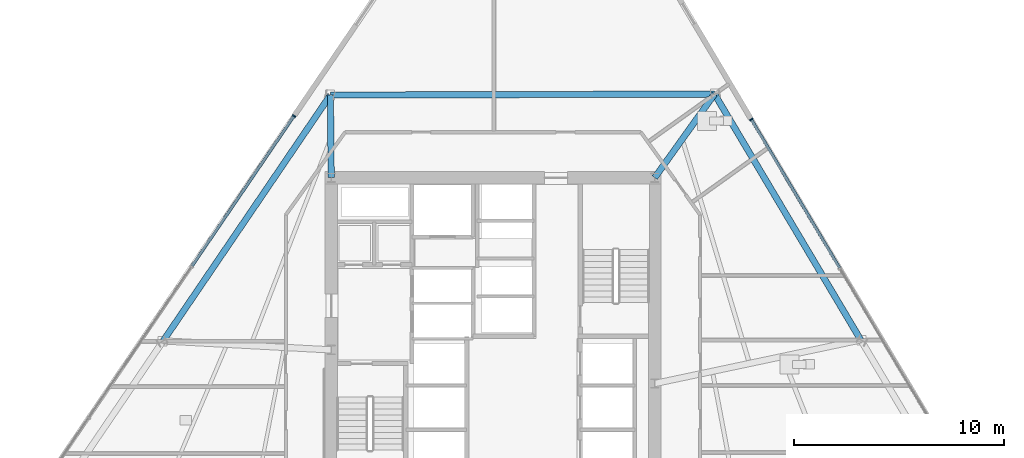
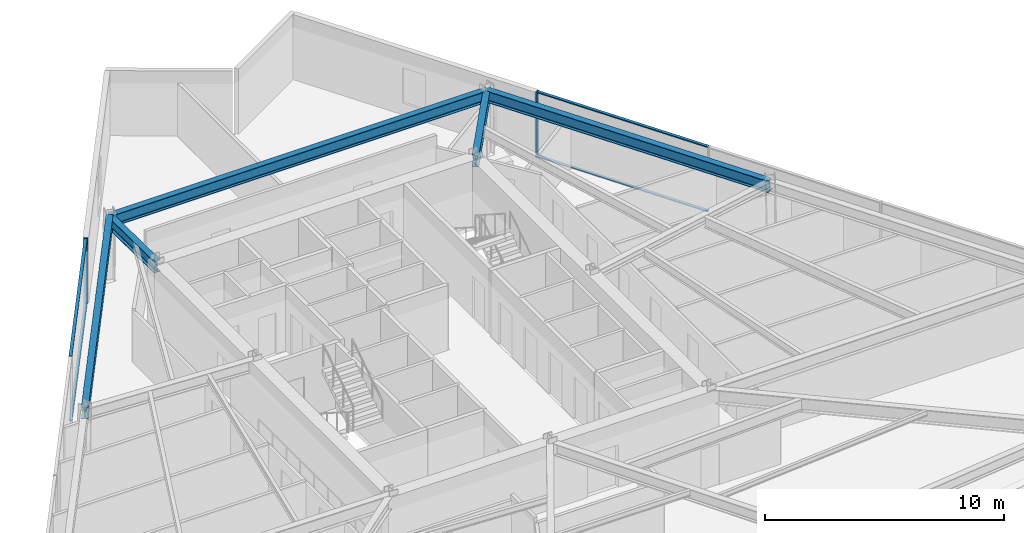
# One storey, part 6 of 16: 6 members, 5 beams, 2 elements without a shape of their own.
"""IFC4 building model written with IfcOpenShell, lengths in metres."""

from ifc_helpers import new_model, si_unit, direction, frame, origin, origin_2d, place, context, subcontext, project, spatial, rectangle, i_section, extrude, material, material_profile, profile_set, type_object, element, aggregate, save


model = new_model("IFC4")

# Units and contexts
model_context = context("Model", 3, precision=1e-05, world=origin(), true_north=direction((0.0, 1.0)))
body_context = subcontext(model_context, "Body", "Model", "MODEL_VIEW")
ifc_project = project(units=[si_unit("LENGTHUNIT", "METRE"), si_unit("AREAUNIT", "SQUARE_METRE"), si_unit("VOLUMEUNIT", "CUBIC_METRE"), si_unit("PLANEANGLEUNIT", "RADIAN"), si_unit("MASSUNIT", "GRAM", prefix="KILO")], contexts=[model_context])

# Site, building, storey
site_placement = place(None, origin())
site = spatial("IfcSite", under=ifc_project, at=site_placement, CompositionType="ELEMENT")
building_placement = place(site_placement, origin())
building = spatial("IfcBuilding", under=site, at=building_placement, Name="Savorim Split Tower", CompositionType="ELEMENT")
storey_placement = place(building_placement, frame((0.0, 0.0, 51.60009765625)))
storey = spatial("IfcBuildingStorey", under=building, at=storey_placement, Name="L13", CompositionType="ELEMENT", Elevation=51.60009765625)

# Beams
ifc_material_1 = material(Name="Steel S355", Category="steel")
ifc_material_profile_1 = material_profile(ifc_material_1, i_section(OverallWidth=0.300048828125, OverallDepth=0.60009765625, WebThickness=0.015380859375, FlangeThickness=0.030029296875, FilletRadius=0.027099609375, at=origin_2d()), Name="HEB 600")
ifc_profile_set_1 = profile_set([ifc_material_profile_1], Name="Steel S355")
beam_type_1 = type_object("IfcBeamType", Name="BM-PRI-HEB600", PredefinedType="BEAM", material=ifc_profile_set_1)
beam_1_placement = place(storey_placement, frame((10.54736328125, 14.17724609375, 3.0498046875), z_axis=(-0.582116025145, -0.813105733142, 0.0), x_axis=(0.813105733142, -0.582116025145, 0.0)))
element("IfcBeam", 1, at=beam_1_placement, inside=storey, type_object=beam_type_1, Name="L13 Primary Floor Girder RG-07", PredefinedType="BEAM", context=body_context, shape_type="SweptSolid", body=[
    extrude(i_section(OverallWidth=0.300048828125, OverallDepth=0.60009765625, WebThickness=0.015380859375, FlangeThickness=0.030029296875, FilletRadius=0.027099609375, at=origin_2d()), origin(), (0.0, 0.0, 1.0), 4.8916015625),
])
beam_2_placement = place(storey_placement, frame((-7.73876953125, 14.12841796875, 3.0498046875), z_axis=(0.009880817735, -0.999951183529, 0.0), x_axis=(0.999951183529, 0.009880817735, 0.0)))
element("IfcBeam", 2, at=beam_2_placement, inside=storey, type_object=beam_type_1, Name="L13 Primary Floor Girder RG-08", PredefinedType="BEAM", context=body_context, shape_type="SweptSolid", body=[
    extrude(i_section(OverallWidth=0.300048828125, OverallDepth=0.60009765625, WebThickness=0.015380859375, FlangeThickness=0.030029296875, FilletRadius=0.027099609375, at=origin_2d()), origin(), (0.0, 0.0, 1.0), 3.9287109375),
])
ifc_material_profile_2 = material_profile(ifc_material_1, i_section(OverallWidth=0.300048828125, OverallDepth=0.590087890625, WebThickness=0.012939453125, FlangeThickness=0.02490234375, FilletRadius=0.027099609375, at=origin_2d()), Name="HEA 600")
ifc_profile_set_2 = profile_set([ifc_material_profile_2], Name="Steel S355")
beam_type_2 = type_object("IfcBeamType", Name="BM-SPN-HEA600", PredefinedType="SPANDREL", material=ifc_profile_set_2)
beam_3_placement = place(storey_placement, frame((17.504150390625, 2.477294921875, 3.054931640625), z_axis=(-0.511078616078, 0.859533971515, 0.0), x_axis=(-0.859533971515, -0.511078616078, 0.0)))
element("IfcBeam", 3, at=beam_3_placement, inside=storey, type_object=beam_type_2, Name="L13 Perimeter Spandrel Beam 6", PredefinedType="SPANDREL", context=body_context, shape_type="SweptSolid", body=[
    extrude(i_section(OverallWidth=0.300048828125, OverallDepth=0.590087890625, WebThickness=0.012939453125, FlangeThickness=0.02490234375, FilletRadius=0.027099609375, at=origin_2d()), origin(), (0.0, 0.0, 1.0), 13.612060546875),
])
beam_4_placement = place(storey_placement, frame((10.54736328125, 14.17724609375, 3.054931640625), z_axis=(-0.999996434963, -0.00267021745, 0.0), x_axis=(0.00267021745, -0.999996434963, 0.0)))
element("IfcBeam", 4, at=beam_4_placement, inside=storey, type_object=beam_type_2, Name="L13 Perimeter Spandrel Beam 7", PredefinedType="SPANDREL", context=body_context, shape_type="SweptSolid", body=[
    extrude(i_section(OverallWidth=0.300048828125, OverallDepth=0.590087890625, WebThickness=0.012939453125, FlangeThickness=0.02490234375, FilletRadius=0.027099609375, at=origin_2d()), origin(), (0.0, 0.0, 1.0), 18.2861328125),
])
beam_5_placement = place(storey_placement, frame((-7.73876953125, 14.12841796875, 3.054931640625), z_axis=(-0.562475653373, -0.826813848071, 0.0), x_axis=(0.826813848071, -0.562475653373, 0.0)))
element("IfcBeam", 5, at=beam_5_placement, inside=storey, type_object=beam_type_2, Name="L13 Perimeter Spandrel Beam 8", PredefinedType="SPANDREL", context=body_context, shape_type="SweptSolid", body=[
    extrude(i_section(OverallWidth=0.300048828125, OverallDepth=0.590087890625, WebThickness=0.012939453125, FlangeThickness=0.02490234375, FilletRadius=0.027099609375, at=origin_2d()), origin(), (0.0, 0.0, 1.0), 14.150390625),
])

# Curtain wall, member
ifc_material_2 = material(Name="Dark Ceramic-Fritted Insulated Glass", Category="glass")
curtain_wall_type = type_object("IfcCurtainWallType", Name="CW-TWR-FRIT-A", PredefinedType="NOTDEFINED", material=ifc_material_2)
curtain_wall_1_placement = place(storey_placement, origin())
curtain_wall_1 = element("IfcCurtainWall", 6, at=curtain_wall_1_placement, inside=storey, type_object=curtain_wall_type, Name="L13 Curtain Wall CW-L13-EAST", PredefinedType="NOTDEFINED")
ifc_material_3 = material(Name="Charcoal Anodised Aluminium", Category="aluminium")
ifc_material_profile_3 = material_profile(ifc_material_3, rectangle(XDim=0.179931640625, YDim=0.06494140625, at=origin_2d()), Name="ALU-M 180x65")
ifc_profile_set_3 = profile_set([ifc_material_profile_3], Name="Charcoal Anodised Aluminium")
member_type_1 = type_object("IfcMemberType", Name="CWM-180x65", PredefinedType="MULLION", material=ifc_profile_set_3)
member_1_placement = place(storey_placement, frame((12.296630859375, 12.96826171875, 0.0), z_axis=(0.0, 0.0, 1.0), x_axis=(-0.859525822673, -0.511092320583, 0.0)))
member_1 = element("IfcMember", 7, at=member_1_placement, type_object=member_type_1, Name="CW-02 mullion 5", PredefinedType="MULLION", context=body_context, shape_type="SweptSolid", body=[
    extrude(rectangle(XDim=0.179931640625, YDim=0.06494140625, at=origin_2d()), origin(), (0.0, 0.0, 1.0), 3.349853515625),
])

curtain_wall_2_placement = place(storey_placement, origin())
curtain_wall_2 = element("IfcCurtainWall", 8, at=curtain_wall_2_placement, inside=storey, type_object=curtain_wall_type, Name="L13 Curtain Wall CW-L13-WEST", PredefinedType="NOTDEFINED")
member_2_placement = place(storey_placement, frame((-9.468994140625, 13.136474609375, 0.0), z_axis=(0.0, 0.0, 1.0), x_axis=(0.826820172644, -0.562466356423, 0.0)))
member_2 = element("IfcMember", 9, at=member_2_placement, type_object=member_type_1, Name="CW-02 mullion 1", PredefinedType="MULLION", context=body_context, shape_type="SweptSolid", body=[
    extrude(rectangle(XDim=0.179931640625, YDim=0.06494140625, at=origin_2d()), origin(), (0.0, 0.0, 1.0), 3.349853515625),
])

# Member
ifc_material_profile_4 = material_profile(ifc_material_3, rectangle(XDim=0.139892578125, YDim=0.054931640625, at=origin_2d()), Name="ALU-T 140x55")
ifc_profile_set_4 = profile_set([ifc_material_profile_4], Name="Charcoal Anodised Aluminium")
member_type_2 = type_object("IfcMemberType", Name="CWT-140x55", PredefinedType="USERDEFINED", material=ifc_profile_set_4)
member_3_placement = place(storey_placement, frame((16.49853515625, 5.901611328125, 0.02734375), z_axis=(-0.51109384724, 0.859524914888, 0.0), x_axis=(-0.859524914888, -0.51109384724, 0.0)))
member_3 = element("IfcMember", 10, at=member_3_placement, type_object=member_type_2, Name="CW-02 transom 4.1", ObjectType="TRANSOM", PredefinedType="USERDEFINED", context=body_context, shape_type="SweptSolid", body=[
    extrude(rectangle(XDim=0.139892578125, YDim=0.054931640625, at=origin_2d()), origin(), (0.0, 0.0, 1.0), 8.18896484375),
])

member_4_placement = place(storey_placement, frame((16.49853515625, 5.901611328125, 3.322509765625), z_axis=(-0.51109384724, 0.859524914888, 0.0), x_axis=(-0.859524914888, -0.51109384724, 0.0)))
member_4 = element("IfcMember", 11, at=member_4_placement, type_object=member_type_2, Name="CW-02 transom 4.2", ObjectType="TRANSOM", PredefinedType="USERDEFINED", context=body_context, shape_type="SweptSolid", body=[
    extrude(rectangle(XDim=0.139892578125, YDim=0.054931640625, at=origin_2d()), origin(), (0.0, 0.0, 1.0), 8.18896484375),
])

aggregate(curtain_wall_1, [member_1, member_3, member_4])

member_5_placement = place(storey_placement, frame((-9.487060546875, 13.109619140625, 0.02734375), z_axis=(-0.562479161914, -0.826811461224, 0.0), x_axis=(0.826811461224, -0.562479161914, 0.0)))
member_5 = element("IfcMember", 12, at=member_5_placement, type_object=member_type_2, Name="CW-02 transom 1.1", ObjectType="TRANSOM", PredefinedType="USERDEFINED", context=body_context, shape_type="SweptSolid", body=[
    extrude(rectangle(XDim=0.139892578125, YDim=0.054931640625, at=origin_2d()), origin(), (0.0, 0.0, 1.0), 8.606201171875),
])

member_6_placement = place(storey_placement, frame((-9.487060546875, 13.109619140625, 3.322509765625), z_axis=(-0.562479161914, -0.826811461224, 0.0), x_axis=(0.826811461224, -0.562479161914, 0.0)))
member_6 = element("IfcMember", 13, at=member_6_placement, type_object=member_type_2, Name="CW-02 transom 1.2", ObjectType="TRANSOM", PredefinedType="USERDEFINED", context=body_context, shape_type="SweptSolid", body=[
    extrude(rectangle(XDim=0.139892578125, YDim=0.054931640625, at=origin_2d()), origin(), (0.0, 0.0, 1.0), 8.606201171875),
])

aggregate(curtain_wall_2, [member_2, member_5, member_6])

save(model, "model.ifc")
